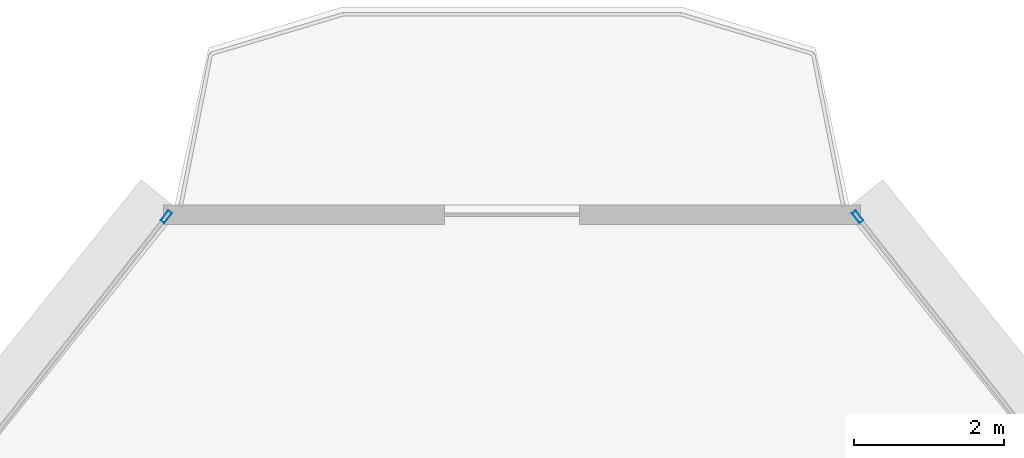
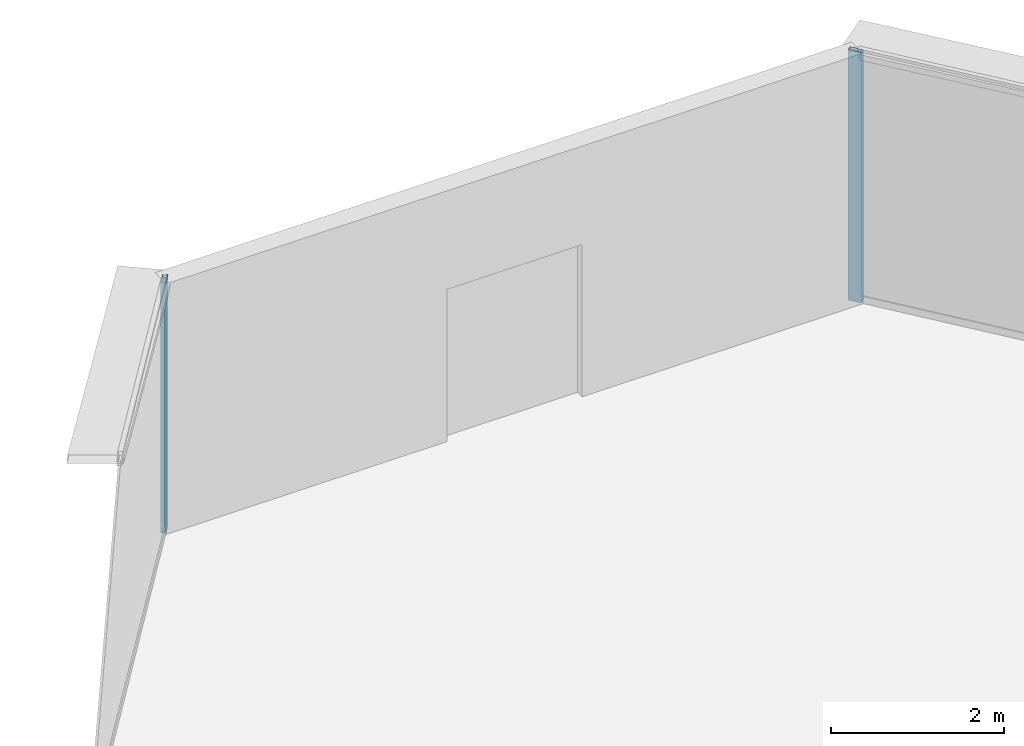
# One storey, part 27 of 38: 2 members, 2 elements without a shape of their own.
"""IFC4 building model written with IfcOpenShell, lengths in metres."""

from ifc_helpers import new_model, si_unit, direction, frame, origin, origin_2d, place, context, subcontext, project, spatial, hollow_rectangle, extrude, source, transform, mapped, material, layer, layer_set, material_profile, profile_set, type_object, element, aggregate, save


model = new_model("IFC4")

# Units and contexts
model_context = context("Model", 3, precision=1e-05, world=origin(), true_north=direction((0.0, 1.0)))
body_context = subcontext(model_context, "Body", "Model", "MODEL_VIEW")
ifc_project = project(units=[si_unit("LENGTHUNIT", "METRE"), si_unit("AREAUNIT", "SQUARE_METRE"), si_unit("VOLUMEUNIT", "CUBIC_METRE"), si_unit("PLANEANGLEUNIT", "RADIAN"), si_unit("MASSUNIT", "GRAM", prefix="KILO"), si_unit("THERMODYNAMICTEMPERATUREUNIT", "KELVIN"), si_unit("POWERUNIT", "WATT")], contexts=[model_context])

# Site, building, storey
site_placement = place(None, origin())
site = spatial("IfcSite", under=ifc_project, at=site_placement, CompositionType="ELEMENT")
building_placement = place(site_placement, origin())
building = spatial("IfcBuilding", under=site, at=building_placement, Name="Yunzhuo Pagoda Commons", CompositionType="ELEMENT")
storey_placement = place(building_placement, frame((0.0, 0.0, 81.179931640625)))
storey = spatial("IfcBuildingStorey", under=building, at=storey_placement, Name="L20", CompositionType="ELEMENT", Elevation=81.179931640625)

# Curtain wall, member
ifc_material = material(Name="Anodized aluminium 6063-T6", Category="aluminium")
ifc_layer = layer(ifc_material, 0.1650390625)
ifc_layer_set = layer_set([ifc_layer], Name="Anodized aluminium 6063-T6")
curtain_wall_type = type_object("IfcCurtainWallType", Name="CW-LOW Low-Zone Ribbon Curtain Wall", PredefinedType="NOTDEFINED", material=ifc_layer_set)
curtain_wall_1_placement = place(storey_placement, origin())
curtain_wall_1 = element("IfcCurtainWall", 1, at=curtain_wall_1_placement, inside=storey, type_object=curtain_wall_type, Name="L20 curtain wall CW-L20-F2B5", PredefinedType="NOTDEFINED")
ifc_material_profile = material_profile(ifc_material, hollow_rectangle(XDim=0.06494140625, YDim=0.1650390625, WallThickness=0.00390625, at=origin_2d()), Name="Anodized aluminium 6063-T6")
ifc_profile_set = profile_set([ifc_material_profile], Name="Anodized aluminium 6063-T6")
member_type = type_object("IfcMemberType", Name="CW-LOW-M Mullion RHS 165x65x4", PredefinedType="MULLION", material=ifc_profile_set)
shared_shape = source(origin(), body_context, "Body", "SweptSolid", [
    extrude(hollow_rectangle(XDim=0.06494140625, YDim=0.1650390625, WallThickness=0.00390625, at=origin_2d()), origin(), (0.0, 0.0, 1.0), 3.5400390625),
])
member_1_placement = place(storey_placement, frame((52.61767578125, 87.29443359375, 0.0), z_axis=(0.0, 0.0, 1.0), x_axis=(-0.786130948635, -0.618059974111, 0.0)))
member_1 = element("IfcMember", 2, at=member_1_placement, type_object=member_type, Name="CW mullion 2", PredefinedType="MULLION", context=body_context, shape_type="MappedRepresentation", body=[
    mapped(shared_shape, transform((0.0, 0.0, 0.0), scale=1.0)),
])
aggregate(curtain_wall_1, [member_1])

curtain_wall_2_placement = place(storey_placement, origin())
curtain_wall_2 = element("IfcCurtainWall", 3, at=curtain_wall_2_placement, inside=storey, type_object=curtain_wall_type, Name="L20 curtain wall CW-L20-F3B1", PredefinedType="NOTDEFINED")
member_2_placement = place(storey_placement, frame((43.38232421875, 87.29443359375, 0.0), z_axis=(0.0, 0.0, 1.0), x_axis=(0.786130948635, -0.618059974111, 0.0)))
member_2 = element("IfcMember", 4, at=member_2_placement, type_object=member_type, Name="CW mullion 1", PredefinedType="MULLION", context=body_context, shape_type="MappedRepresentation", body=[
    mapped(shared_shape, transform((0.0, 0.0, 0.0), scale=1.0)),
])
aggregate(curtain_wall_2, [member_2])

save(model, "model.ifc")
